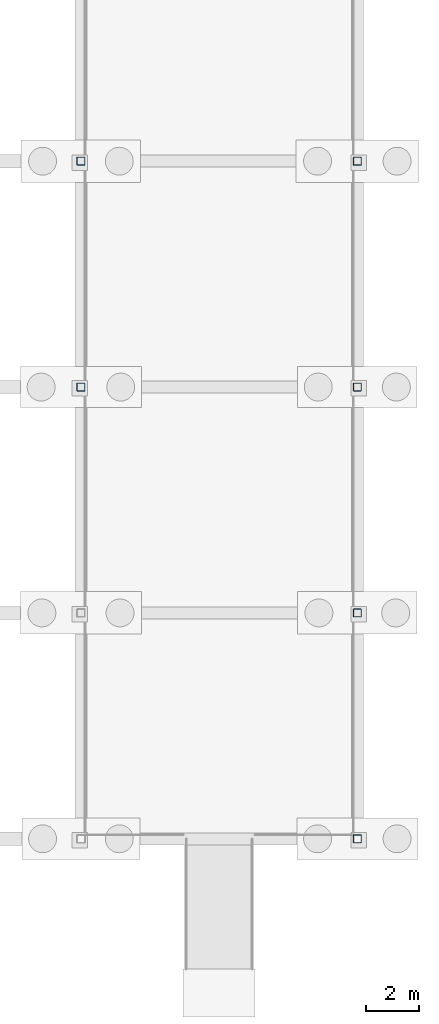
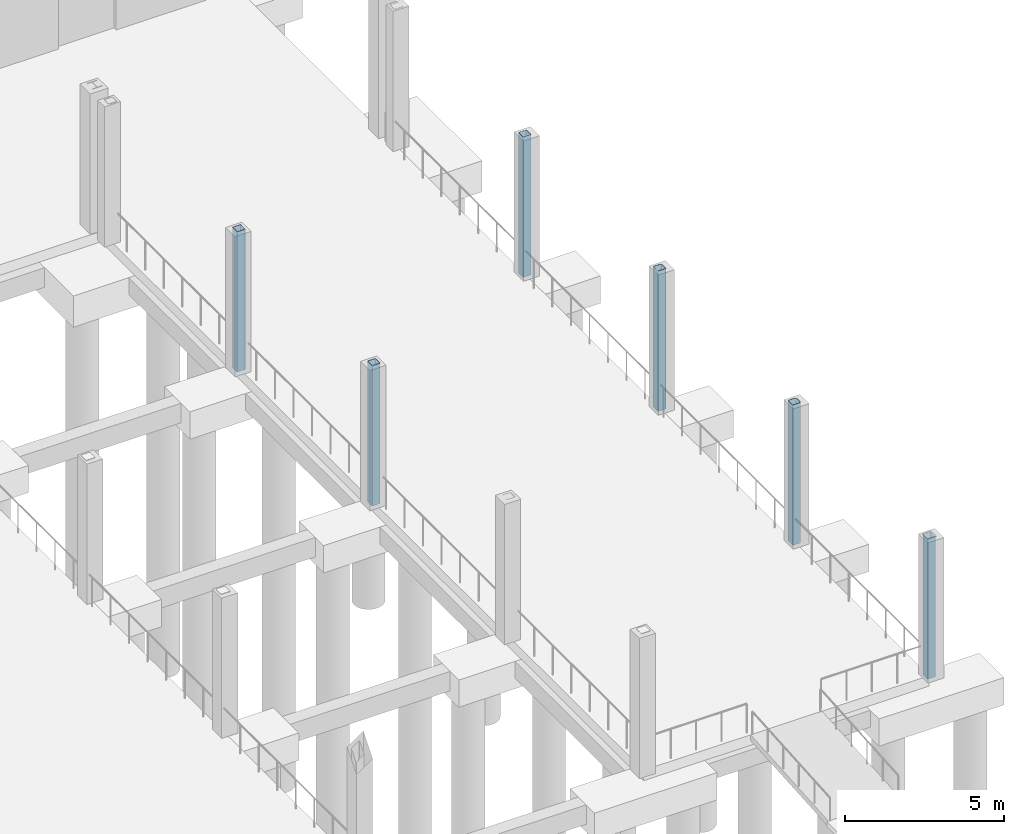
# One storey, part 29 of 83: 6 columns.
"""IFC4 building model written with IfcOpenShell, lengths in metres."""

from ifc_helpers import new_model, si_unit, direction, frame, origin, origin_2d, place, context, subcontext, project, spatial, hollow_rectangle, extrude, material, material_profile, profile_set, type_object, element, save


model = new_model("IFC4")

# Units and contexts
model_context = context("Model", 3, precision=1e-05, world=origin(), true_north=direction((0.0, 1.0)))
body_context = subcontext(model_context, "Body", "Model", "MODEL_VIEW")
ifc_project = project(units=[si_unit("LENGTHUNIT", "METRE"), si_unit("AREAUNIT", "SQUARE_METRE"), si_unit("VOLUMEUNIT", "CUBIC_METRE"), si_unit("PLANEANGLEUNIT", "RADIAN"), si_unit("MASSUNIT", "GRAM", prefix="KILO")], contexts=[model_context])

# Site, building, storey
site_placement = place(None, origin())
site = spatial("IfcSite", under=ifc_project, at=site_placement, CompositionType="ELEMENT")
building_placement = place(site_placement, origin())
building = spatial("IfcBuilding", under=site, at=building_placement, Name="Caurita Quay Ferry Terminal", CompositionType="ELEMENT")
storey_placement = place(building_placement, origin())
storey = spatial("IfcBuildingStorey", under=building, at=storey_placement, Name="L00", CompositionType="ELEMENT", Elevation=0.0)

# Columns
ifc_material = material(Name="Hollow structural steel ASTM A500 Gr. C", Category="steel")
ifc_material_profile = material_profile(ifc_material, hollow_rectangle(XDim=0.3046875, YDim=0.3046875, WallThickness=0.01171875, InnerFilletRadius=0.01171875, OuterFilletRadius=0.023681640625, at=origin_2d()), Name="HSS12X12X1/2")
ifc_profile_set = profile_set([ifc_material_profile], Name="Hollow structural steel ASTM A500 Gr. C")
column_type = type_object("IfcColumnType", Name="COL-HSS-02", PredefinedType="COLUMN", material=ifc_profile_set)
for number, where, z_axis, x_axis, name in (
    (1, (163.60009765625, 17.0, 0.0), (0.0, 0.0, 1.0), (1.0, 0.0, 0.0), "L00 Column V3-BP-18-C"),
    (2, (163.60009765625, 25.5, 0.0), (0.0, 0.0, 1.0), (1.0, 0.0, 0.0), "L00 Column V3-BP-18-D"),
    (3, (174.0, 0.0, 0.0), (0.0, 0.0, 1.0), (1.0, 0.0, 0.0), "L00 Column V3-BP-19-A"),
    (4, (174.0, 8.5, 0.0), (0.0, 0.0, 1.0), (1.0, 0.0, 0.0), "L00 Column V3-BP-19-B"),
    (5, (174.0, 17.0, 0.0), (0.0, 0.0, 1.0), (1.0, 0.0, 0.0), "L00 Column V3-BP-19-C"),
    (6, (174.0, 25.5, 0.0), (0.0, 0.0, 1.0), (1.0, 0.0, 0.0), "L00 Column V3-BP-19-D"),
):
    element("IfcColumn", number, at=place(storey_placement, frame(where, z_axis=z_axis, x_axis=x_axis)), inside=storey, type_object=column_type, Name=name, PredefinedType="COLUMN", context=body_context, shape_type="SweptSolid", body=[
        extrude(hollow_rectangle(XDim=0.3046875, YDim=0.3046875, WallThickness=0.01171875, InnerFilletRadius=0.01171875, OuterFilletRadius=0.023681640625, at=origin_2d()), origin(), (0.0, 0.0, 1.0), 5.39990234375),
    ])

save(model, "model.ifc")
